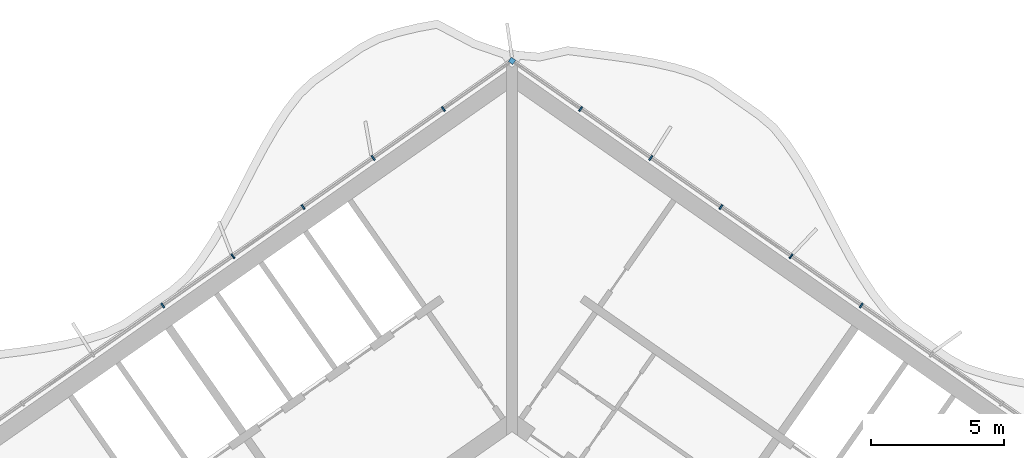
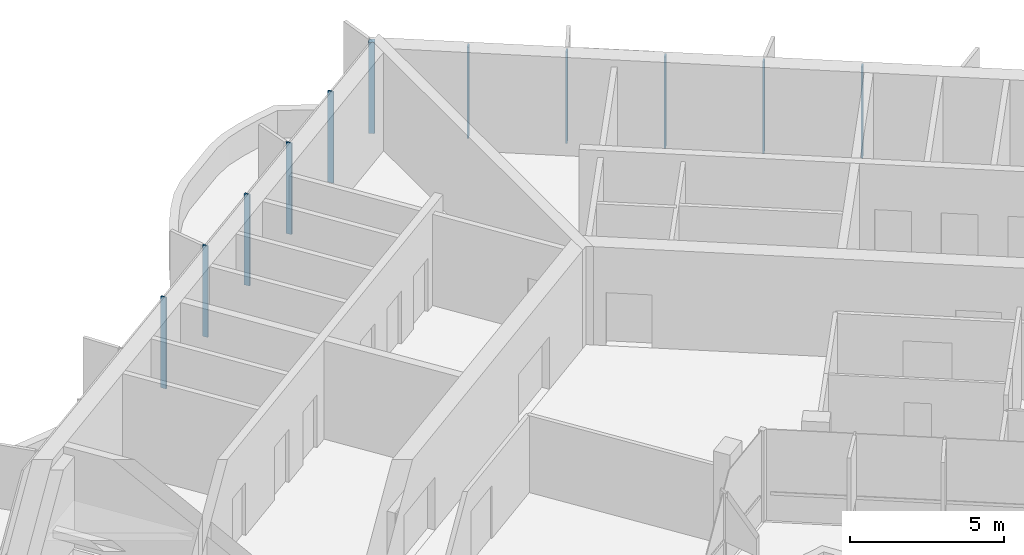
# One storey, part 6 of 18: 11 members, 1 element without a shape of its own.
"""IFC4 building model written with IfcOpenShell, lengths in metres."""

from ifc_helpers import new_model, si_unit, direction, frame, origin, origin_2d, place, context, subcontext, project, spatial, rectangle, extrude, material, material_profile, profile_set, type_object, element, aggregate, save


model = new_model("IFC4")

# Units and contexts
model_context = context("Model", 3, precision=1e-05, world=origin(), true_north=direction((0.0, 1.0)))
body_context = subcontext(model_context, "Body", "Model", "MODEL_VIEW")
ifc_project = project(units=[si_unit("LENGTHUNIT", "METRE"), si_unit("AREAUNIT", "SQUARE_METRE"), si_unit("VOLUMEUNIT", "CUBIC_METRE"), si_unit("PLANEANGLEUNIT", "RADIAN"), si_unit("MASSUNIT", "GRAM", prefix="KILO")], contexts=[model_context])

# Site, building, storey
site_placement = place(None, origin())
site = spatial("IfcSite", under=ifc_project, at=site_placement, CompositionType="ELEMENT")
building_placement = place(site_placement, origin())
building = spatial("IfcBuilding", under=site, at=building_placement, Name="Tel Ilan Convention Tower", CompositionType="ELEMENT")
storey_placement = place(building_placement, frame((0.0, 0.0, 256.60009765625)))
storey = spatial("IfcBuildingStorey", under=building, at=storey_placement, Name="L60", CompositionType="ELEMENT", Elevation=256.60009765625)

# Curtain wall, members
ifc_material_1 = material(Name="Aluminium, bronze anodised", Category="aluminium")
curtain_wall_type = type_object("IfcCurtainWallType", Name="CW2 STICK CURTAIN WALL, SPANDREL PANELS", PredefinedType="NOTDEFINED", material=ifc_material_1)
curtain_wall_placement = place(storey_placement, origin())
curtain_wall = element("IfcCurtainWall", 1, at=curtain_wall_placement, inside=storey, type_object=curtain_wall_type, Name="Curtain wall CW2-46.01", PredefinedType="NOTDEFINED")
ifc_material_2 = material(Name="Aluminium, bronze anodised", Category="aluminium")
ifc_material_profile_1 = material_profile(ifc_material_2, rectangle(XDim=0.199951171875, YDim=0.199951171875, at=origin_2d()), Name="CW CORNER MULLION 200x200")
ifc_profile_set_1 = profile_set([ifc_material_profile_1], Name="Aluminium, bronze anodised")
member_type_1 = type_object("IfcMemberType", Name="CW CORNER MULLION 200x200", PredefinedType="MULLION", material=ifc_profile_set_1)
member_1_placement = place(storey_placement, frame((0.0, 12.696044921875, 0.0), z_axis=(0.0, 0.0, 1.0), x_axis=(-0.819152044289, 0.573576436351, 0.0)))
member_1 = element("IfcMember", 2, at=member_1_placement, type_object=member_type_1, Name="Corner mullion", PredefinedType="MULLION", context=body_context, shape_type="SweptSolid", body=[
    extrude(rectangle(XDim=0.199951171875, YDim=0.199951171875, at=origin_2d()), origin(), (0.0, 0.0, 1.0), 3.619873046875),
])
ifc_material_3 = material(Name="Aluminium, bronze anodised", Category="aluminium")
ifc_material_profile_2 = material_profile(ifc_material_3, rectangle(XDim=0.06005859375, YDim=0.199951171875, at=origin_2d()), Name="CW MULLION 60x200")
ifc_profile_set_2 = profile_set([ifc_material_profile_2], Name="Aluminium, bronze anodised")
member_type_2 = type_object("IfcMemberType", Name="CW MULLION 60x200", PredefinedType="MULLION", material=ifc_profile_set_2)
member_2_placement = place(storey_placement, frame((13.105712890625, 3.519287109375, 0.0), z_axis=(0.0, 0.0, 1.0), x_axis=(-0.819152044289, 0.573576436351, 0.0)))
member_2 = element("IfcMember", 3, at=member_2_placement, type_object=member_type_2, Name="Mullion", PredefinedType="MULLION", context=body_context, shape_type="SweptSolid", body=[
    extrude(rectangle(XDim=0.06005859375, YDim=0.199951171875, at=origin_2d()), origin(), (0.0, 0.0, 1.0), 3.619873046875),
])
member_3_placement = place(storey_placement, frame((10.47314453125, 5.36279296875, 0.0), z_axis=(0.0, 0.0, 1.0), x_axis=(-0.819152044289, 0.573576436351, 0.0)))
member_3 = element("IfcMember", 4, at=member_3_placement, type_object=member_type_2, Name="Mullion", PredefinedType="MULLION", context=body_context, shape_type="SweptSolid", body=[
    extrude(rectangle(XDim=0.06005859375, YDim=0.199951171875, at=origin_2d()), origin(), (0.0, 0.0, 1.0), 3.619873046875),
])
member_4_placement = place(storey_placement, frame((7.840576171875, 7.2060546875, 0.0), z_axis=(0.0, 0.0, 1.0), x_axis=(-0.819152044289, 0.573576436351, 0.0)))
member_4 = element("IfcMember", 5, at=member_4_placement, type_object=member_type_2, Name="Mullion", PredefinedType="MULLION", context=body_context, shape_type="SweptSolid", body=[
    extrude(rectangle(XDim=0.06005859375, YDim=0.199951171875, at=origin_2d()), origin(), (0.0, 0.0, 1.0), 3.619873046875),
])
member_5_placement = place(storey_placement, frame((5.207763671875, 9.049560546875, 0.0), z_axis=(0.0, 0.0, 1.0), x_axis=(-0.819152044289, 0.573576436351, 0.0)))
member_5 = element("IfcMember", 6, at=member_5_placement, type_object=member_type_2, Name="Mullion", PredefinedType="MULLION", context=body_context, shape_type="SweptSolid", body=[
    extrude(rectangle(XDim=0.06005859375, YDim=0.199951171875, at=origin_2d()), origin(), (0.0, 0.0, 1.0), 3.619873046875),
])
member_6_placement = place(storey_placement, frame((2.5751953125, 10.892822265625, 0.0), z_axis=(0.0, 0.0, 1.0), x_axis=(-0.819152044289, 0.573576436351, 0.0)))
member_6 = element("IfcMember", 7, at=member_6_placement, type_object=member_type_2, Name="Mullion", PredefinedType="MULLION", context=body_context, shape_type="SweptSolid", body=[
    extrude(rectangle(XDim=0.06005859375, YDim=0.199951171875, at=origin_2d()), origin(), (0.0, 0.0, 1.0), 3.619873046875),
])
member_7_placement = place(storey_placement, frame((-2.5751953125, 10.892822265625, 0.0), z_axis=(0.0, 0.0, 1.0), x_axis=(-0.819152044289, -0.573576436351, 0.0)))
member_7 = element("IfcMember", 8, at=member_7_placement, type_object=member_type_2, Name="Mullion", PredefinedType="MULLION", context=body_context, shape_type="SweptSolid", body=[
    extrude(rectangle(XDim=0.06005859375, YDim=0.199951171875, at=origin_2d()), origin(), (0.0, 0.0, 1.0), 3.619873046875),
])
member_8_placement = place(storey_placement, frame((-5.207763671875, 9.049560546875, 0.0), z_axis=(0.0, 0.0, 1.0), x_axis=(-0.819152044289, -0.573576436351, 0.0)))
member_8 = element("IfcMember", 9, at=member_8_placement, type_object=member_type_2, Name="Mullion", PredefinedType="MULLION", context=body_context, shape_type="SweptSolid", body=[
    extrude(rectangle(XDim=0.06005859375, YDim=0.199951171875, at=origin_2d()), origin(), (0.0, 0.0, 1.0), 3.619873046875),
])
member_9_placement = place(storey_placement, frame((-7.840576171875, 7.2060546875, 0.0), z_axis=(0.0, 0.0, 1.0), x_axis=(-0.819152044289, -0.573576436351, 0.0)))
member_9 = element("IfcMember", 10, at=member_9_placement, type_object=member_type_2, Name="Mullion", PredefinedType="MULLION", context=body_context, shape_type="SweptSolid", body=[
    extrude(rectangle(XDim=0.06005859375, YDim=0.199951171875, at=origin_2d()), origin(), (0.0, 0.0, 1.0), 3.619873046875),
])
member_10_placement = place(storey_placement, frame((-10.47314453125, 5.36279296875, 0.0), z_axis=(0.0, 0.0, 1.0), x_axis=(-0.819152044289, -0.573576436351, 0.0)))
member_10 = element("IfcMember", 11, at=member_10_placement, type_object=member_type_2, Name="Mullion", PredefinedType="MULLION", context=body_context, shape_type="SweptSolid", body=[
    extrude(rectangle(XDim=0.06005859375, YDim=0.199951171875, at=origin_2d()), origin(), (0.0, 0.0, 1.0), 3.619873046875),
])
member_11_placement = place(storey_placement, frame((-13.105712890625, 3.519287109375, 0.0), z_axis=(0.0, 0.0, 1.0), x_axis=(-0.819152044289, -0.573576436351, 0.0)))
member_11 = element("IfcMember", 12, at=member_11_placement, type_object=member_type_2, Name="Mullion", PredefinedType="MULLION", context=body_context, shape_type="SweptSolid", body=[
    extrude(rectangle(XDim=0.06005859375, YDim=0.199951171875, at=origin_2d()), origin(), (0.0, 0.0, 1.0), 3.619873046875),
])
aggregate(curtain_wall, [member_2, member_3, member_4, member_5, member_6, member_1, member_7, member_8, member_9, member_10, member_11])

save(model, "model.ifc")
